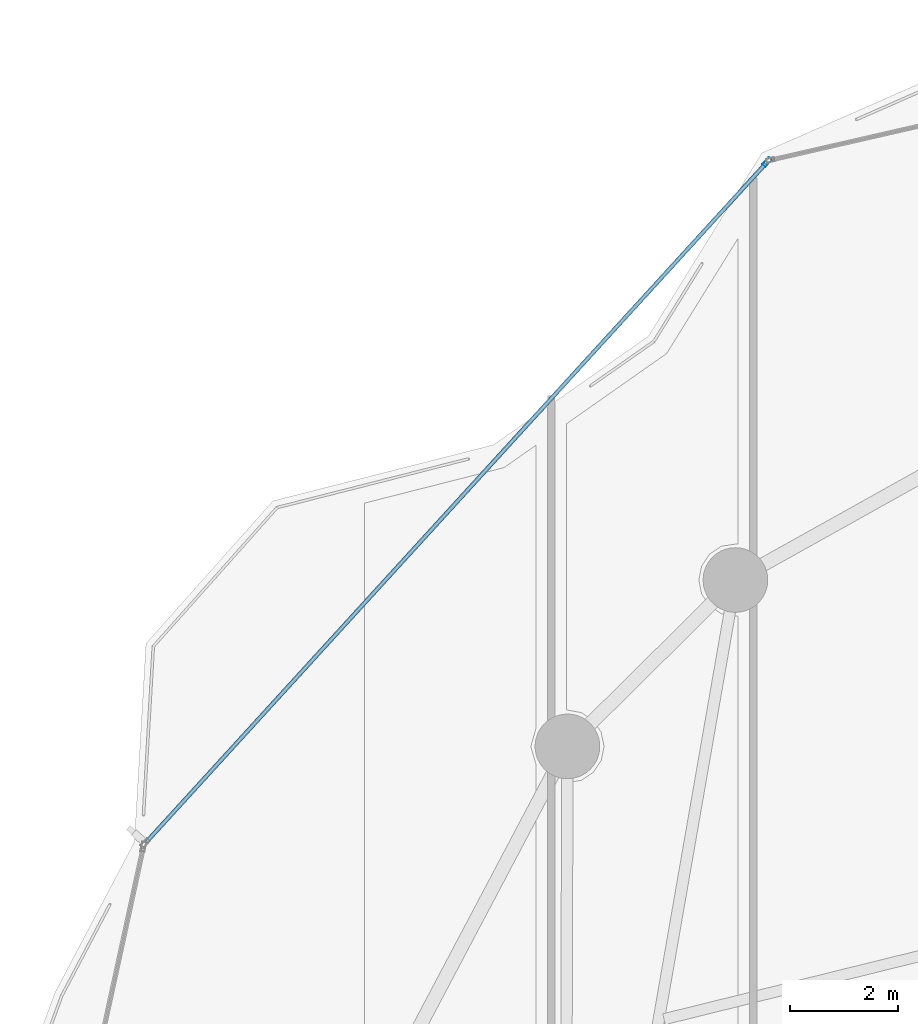
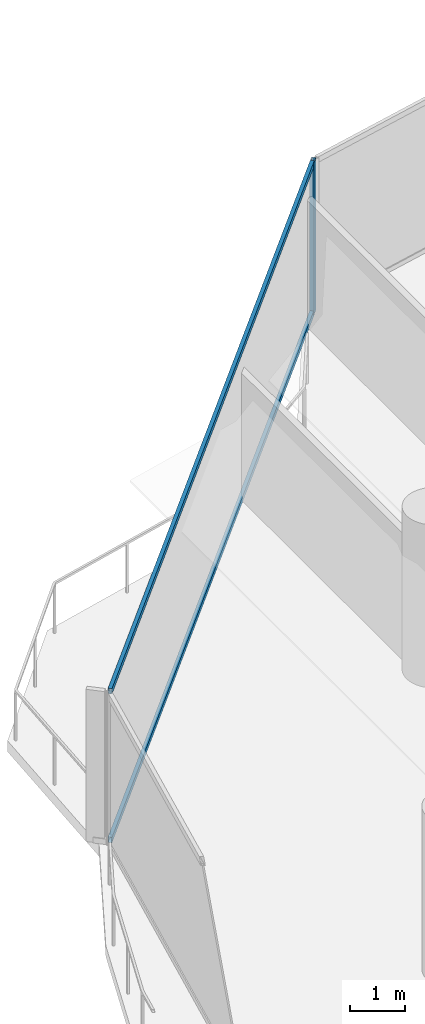
# One storey, part 18 of 34: 3 members, 1 element without a shape of its own.
"""IFC4 building model written with IfcOpenShell, lengths in metres."""

import ifcopenshell
import ifcopenshell.guid

model = None  # the IFC model being written
_history = None  # IfcOwnerHistory: only IFC2X3 demands one
_inside = {}  # id of a spatial element -> (the spatial element, [elements in it])
_under = {}  # id of a project, library or spatial element -> (it, [spatial elements below it])
_declared = {}  # id of a project -> (the project, [libraries it declares])
_typed = {}  # id of a type object -> (the type object, [elements of that type])
_made_of = {}  # id of a material, layer set ... -> (it, [elements and type objects made of it])


def new_model(schema):
    """Start an empty IFC model of exactly this schema.

    Asked for "IFC4X3", IfcOpenShell would pick the latest addendum, in which some entities
    have other attributes; the version numbers below select the first issue.
    IFC2X3 requires an IfcOwnerHistory on every rooted entity: one is made here for all.
    """
    global model, _history
    if schema == "IFC4X3":
        model = ifcopenshell.file(schema_version=(4, 3, 0, 0))
    else:
        model = ifcopenshell.file(schema=schema)
    _inside.clear()
    _under.clear()
    _declared.clear()
    _typed.clear()
    _made_of.clear()
    _history = None
    if model.schema == "IFC2X3":
        org = make("IfcOrganization", Name="unknown")
        user = make(
            "IfcPersonAndOrganization",
            ThePerson=make("IfcPerson", FamilyName="unknown"),
            TheOrganization=org,
        )
        app = make(
            "IfcApplication",
            ApplicationDeveloper=org,
            Version="unknown",
            ApplicationFullName="unknown",
            ApplicationIdentifier="unknown",
        )
        _history = make(
            "IfcOwnerHistory",
            OwningUser=user,
            OwningApplication=app,
            ChangeAction="ADDED",
            CreationDate=0,
        )
    return model


def make(cls, **values):
    """One entity of the class cls with the attributes given. An attribute that is None is left unset."""
    return model.create_entity(
        cls, **{name: value for name, value in values.items() if value is not None}
    )


def rooted(cls, **values):
    """An entity with a GlobalId (a new one), such as an element, a storey or a relation."""
    return make(cls, GlobalId=ifcopenshell.guid.new(), OwnerHistory=_history, **values)


def si_unit(unit_type, name, prefix=None):
    """IfcSIUnit, for example si_unit("LENGTHUNIT", "METRE", prefix="MILLI")."""
    return make("IfcSIUnit", UnitType=unit_type, Prefix=prefix, Name=name)


def assignment(units):
    """IfcUnitAssignment: the units of a project."""
    return None if units is None else make("IfcUnitAssignment", Units=units)


def point(xyz):
    """IfcCartesianPoint."""
    return None if xyz is None else make("IfcCartesianPoint", Coordinates=xyz)


def direction(xyz):
    """IfcDirection."""
    return None if xyz is None else make("IfcDirection", DirectionRatios=xyz)


def frame(location, z_axis=None, x_axis=None):
    """IfcAxis2Placement3D, a coordinate frame: its origin and axes. An axis left out is left unset."""
    return make(
        "IfcAxis2Placement3D",
        Location=point(location),
        Axis=direction(z_axis),
        RefDirection=direction(x_axis),
    )


def frame_2d(location, x_axis=None):
    """IfcAxis2Placement2D, a coordinate frame in the plane: its origin and x axis."""
    return make(
        "IfcAxis2Placement2D", Location=point(location), RefDirection=direction(x_axis)
    )


def origin():
    """The frame at (0, 0, 0) with its axes left unset."""
    return frame((0.0, 0.0, 0.0))


def origin_2d():
    """The frame at (0, 0) in the plane with its x axis left unset."""
    return frame_2d((0.0, 0.0))


def place(relative_to, where):
    """IfcLocalPlacement: puts the frame where relative to a parent placement (None: the world)."""
    return make(
        "IfcLocalPlacement", PlacementRelTo=relative_to, RelativePlacement=where
    )


def context(
    kind, dimensions, precision=None, world=None, true_north=None, identifier=None
):
    """IfcGeometricRepresentationContext, for example the 3D "Model" context."""
    return make(
        "IfcGeometricRepresentationContext",
        ContextIdentifier=identifier,
        ContextType=kind,
        CoordinateSpaceDimension=dimensions,
        Precision=precision,
        WorldCoordinateSystem=world,
        TrueNorth=true_north,
    )


def subcontext(parent, identifier, kind, view, scale=None):
    """IfcGeometricRepresentationSubContext, for example "Body" below "Model"."""
    return make(
        "IfcGeometricRepresentationSubContext",
        ContextIdentifier=identifier,
        ContextType=kind,
        ParentContext=parent,
        TargetScale=scale,
        TargetView=view,
    )


def project(units=None, contexts=None):
    """IfcProject with its units and contexts."""
    return rooted(
        "IfcProject",
        Name="project",
        RepresentationContexts=contexts,
        UnitsInContext=assignment(units),
    )


def spatial(cls, under=None, at=None, **own):
    """A site, building, storey or space (cls), placed at a placement, below another one or the project."""
    s = rooted(cls, ObjectPlacement=at, **own)
    if under is not None:
        _under.setdefault(under.id(), (under, []))[1].append(s)
    return s


def profile(cls, at=None, kind="AREA", **sizes):
    """A parametric profile (cls). Its sizes go by their IFC names, for example OverallWidth=200.0."""
    return make(cls, ProfileType=kind, Position=at, **sizes)


def hollow_rectangle(**sizes):
    """IfcRectangleHollowProfileDef."""
    return profile("IfcRectangleHollowProfileDef", **sizes)


def extrude(swept, where, along, depth):
    """IfcExtrudedAreaSolid: the profile swept, set in the frame where, extruded along a direction by depth."""
    return make(
        "IfcExtrudedAreaSolid",
        SweptArea=swept,
        Position=where,
        ExtrudedDirection=direction(along),
        Depth=depth,
    )


def shape(context_of_items, identifier, shape_type, items):
    """IfcShapeRepresentation: the items that make up one representation, for example the "Body"."""
    return make(
        "IfcShapeRepresentation",
        ContextOfItems=context_of_items,
        RepresentationIdentifier=identifier,
        RepresentationType=shape_type,
        Items=items,
    )


def material(Name=None, Category=None):
    """IfcMaterial."""
    return make("IfcMaterial", Name=Name, Category=Category)


def layer(
    of_material, thickness, ventilated=None, Name=None, Category=None, Priority=None
):
    """IfcMaterialLayer: one layer of a wall or slab, of a material (None: an air gap)."""
    return make(
        "IfcMaterialLayer",
        Material=of_material,
        LayerThickness=thickness,
        IsVentilated=ventilated,
        Name=Name,
        Category=Category,
        Priority=Priority,
    )


def layer_set(layers, Name=None):
    """IfcMaterialLayerSet."""
    return make("IfcMaterialLayerSet", MaterialLayers=layers, LayerSetName=Name)


def material_profile(
    of_material, cross_section, Name=None, Category=None, Priority=None
):
    """IfcMaterialProfile: a cross section and its material."""
    return make(
        "IfcMaterialProfile",
        Name=Name,
        Material=of_material,
        Profile=cross_section,
        Priority=Priority,
        Category=Category,
    )


def profile_set(profiles, Name=None, composite=None):
    """IfcMaterialProfileSet."""
    return make(
        "IfcMaterialProfileSet",
        Name=Name,
        MaterialProfiles=profiles,
        CompositeProfile=composite,
    )


def made_of(thing, what):
    """Note that an element or type object is made of a material, layer set ...; save() writes the relation."""
    if what is not None:
        _made_of.setdefault(what.id(), (what, []))[1].append(thing)
    return thing


def type_object(cls, material=None, **own):
    """A type object (cls), such as IfcWallType, which elements share."""
    return made_of(rooted(cls, **own), material)


def element(
    cls,
    number,
    at=None,
    inside=None,
    cuts=None,
    type_object=None,
    material=None,
    context=None,
    identifier="Body",
    shape_type=None,
    held_by="IfcProductDefinitionShape",
    body=None,
    shapes=None,
    **own,
):
    """One element of the class cls, such as IfcWall. Its Tag is "e" and its number.

    at: its placement. inside: the storey or other place that contains it. cuts: it is an
    opening in that element (IfcRelVoidsElement). A single representation is given by context,
    identifier, shape_type and body (its items); several are given by shapes. held_by: the class
    of the entity that holds the representations. save() writes the other relations.
    """
    e = rooted(cls, Tag="e%d" % number, ObjectPlacement=at, **own)
    if body is not None:
        shapes = [shape(context, identifier, shape_type, body)]
    if shapes is not None:
        e.Representation = make(held_by, Representations=shapes)
    if inside is not None:
        _inside.setdefault(inside.id(), (inside, []))[1].append(e)
    if cuts is not None:
        rooted(
            "IfcRelVoidsElement", RelatingBuildingElement=cuts, RelatedOpeningElement=e
        )
    if type_object is not None:
        _typed.setdefault(type_object.id(), (type_object, []))[1].append(e)
    return made_of(e, material)


def aggregate(whole, parts):
    """IfcRelAggregates: a whole, such as a stair, and the parts it consists of."""
    return rooted("IfcRelAggregates", RelatingObject=whole, RelatedObjects=parts)


def save(model, path):
    """Write the relations noted so far, then the file.

    IfcRelAggregates (storeys below a building ...), IfcRelContainedInSpatialStructure (elements
    in a storey), IfcRelDefinesByType, IfcRelAssociatesMaterial and IfcRelDeclares: one each for
    every whole, place, type object, material and project.
    """
    for whole, parts in _under.values():
        aggregate(whole, parts)
    for where, things in _inside.values():
        rooted(
            "IfcRelContainedInSpatialStructure",
            RelatedElements=things,
            RelatingStructure=where,
        )
    for kind, things in _typed.values():
        rooted("IfcRelDefinesByType", RelatedObjects=things, RelatingType=kind)
    for what, things in _made_of.values():
        rooted("IfcRelAssociatesMaterial", RelatedObjects=things, RelatingMaterial=what)
    for by, libraries in _declared.values():
        rooted("IfcRelDeclares", RelatingContext=by, RelatedDefinitions=libraries)
    model.write(path)


model = new_model("IFC4")

# Units and contexts
model_context = context("Model", 3, precision=1e-05, world=origin(), true_north=direction((0.0, 1.0)))
body_context = subcontext(model_context, "Body", "Model", "MODEL_VIEW")
ifc_project = project(units=[si_unit("LENGTHUNIT", "METRE"), si_unit("AREAUNIT", "SQUARE_METRE"), si_unit("VOLUMEUNIT", "CUBIC_METRE"), si_unit("PLANEANGLEUNIT", "RADIAN"), si_unit("MASSUNIT", "GRAM", prefix="KILO")], contexts=[model_context])

# Site, building, storey
site_placement = place(None, origin())
site = spatial("IfcSite", under=ifc_project, at=site_placement, CompositionType="ELEMENT")
building_placement = place(site_placement, origin())
building = spatial("IfcBuilding", under=site, at=building_placement, Name="Kazevale Care Tower and Concert Hall", CompositionType="ELEMENT")
storey_placement = place(building_placement, frame((0.0, 0.0, 160.199951171875)))
storey = spatial("IfcBuildingStorey", under=building, at=storey_placement, Name="L42", CompositionType="ELEMENT", Elevation=160.199951171875)

# Curtain wall, members
ifc_material_1 = material(Name="Aluminium 6063-T6 and Low-E Glass", Category="aluminium")
ifc_layer = layer(ifc_material_1, 0.179931640625)
ifc_layer_set = layer_set([ifc_layer], Name="Aluminium 6063-T6 and Low-E Glass")
curtain_wall_type = type_object("IfcCurtainWallType", Name="Convex Checkerboard Finned Curtain Wall CW-2", PredefinedType="NOTDEFINED", material=ifc_layer_set)
curtain_wall_placement = place(storey_placement, origin())
curtain_wall = element("IfcCurtainWall", 1, at=curtain_wall_placement, inside=storey, type_object=curtain_wall_type, Name="cw:L42:f14", PredefinedType="NOTDEFINED")
ifc_material_2 = material(Name="Aluminium 6063-T6", Category="aluminium")
ifc_material_profile_1 = material_profile(ifc_material_2, hollow_rectangle(XDim=0.080078125, YDim=0.179931640625, WallThickness=0.0048828125, at=origin_2d()), Name="ALU80x180x5")
ifc_profile_set_1 = profile_set([ifc_material_profile_1], Name="Aluminium 6063-T6")
member_type_1 = type_object("IfcMemberType", Name="CW-2 Mullion ALU80x180x5", PredefinedType="MULLION", material=ifc_profile_set_1)
member_1_placement = place(storey_placement, frame((25.757080078125, 62.340576171875, 0.0), z_axis=(0.0, 0.0, 1.0), x_axis=(-0.738491785899, 0.674262472751, 0.0)))
member_1 = element("IfcMember", 2, at=member_1_placement, type_object=member_type_1, Name="CW-2 mullion 2", PredefinedType="MULLION", context=body_context, shape_type="SweptSolid", body=[
    extrude(hollow_rectangle(XDim=0.080078125, YDim=0.179931640625, WallThickness=0.0048828125, at=origin_2d()), origin(), (0.0, 0.0, 1.0), 3.360107421875),
])
ifc_material_profile_2 = material_profile(ifc_material_2, hollow_rectangle(XDim=0.074951171875, YDim=0.1201171875, WallThickness=0.00390625, at=origin_2d()), Name="ALU75x120x4")
ifc_profile_set_2 = profile_set([ifc_material_profile_2], Name="Aluminium 6063-T6")
member_type_2 = type_object("IfcMemberType", Name="CW-2 Transom ALU75x120x4", PredefinedType="USERDEFINED", material=ifc_profile_set_2)
member_2_placement = place(storey_placement, frame((14.238037109375, 49.72412109375, 0.03759765625), z_axis=(0.674254759105, 0.738498828587, 0.0), x_axis=(-0.738498828587, 0.674254759105, 0.0)))
member_2 = element("IfcMember", 3, at=member_2_placement, type_object=member_type_2, Name="CW-2 transom 1.1", ObjectType="TRANSOM", PredefinedType="USERDEFINED", context=body_context, shape_type="SweptSolid", body=[
    extrude(hollow_rectangle(XDim=0.074951171875, YDim=0.1201171875, WallThickness=0.00390625, at=origin_2d()), origin(), (0.0, 0.0, 1.0), 17.0439453125),
])
member_3_placement = place(storey_placement, frame((14.238037109375, 49.72412109375, 3.322509765625), z_axis=(0.674254759105, 0.738498828587, 0.0), x_axis=(-0.738498828587, 0.674254759105, 0.0)))
member_3 = element("IfcMember", 4, at=member_3_placement, type_object=member_type_2, Name="CW-2 transom 1.2", ObjectType="TRANSOM", PredefinedType="USERDEFINED", context=body_context, shape_type="SweptSolid", body=[
    extrude(hollow_rectangle(XDim=0.074951171875, YDim=0.1201171875, WallThickness=0.00390625, at=origin_2d()), origin(), (0.0, 0.0, 1.0), 17.0439453125),
])
aggregate(curtain_wall, [member_1, member_2, member_3])

save(model, "model.ifc")
